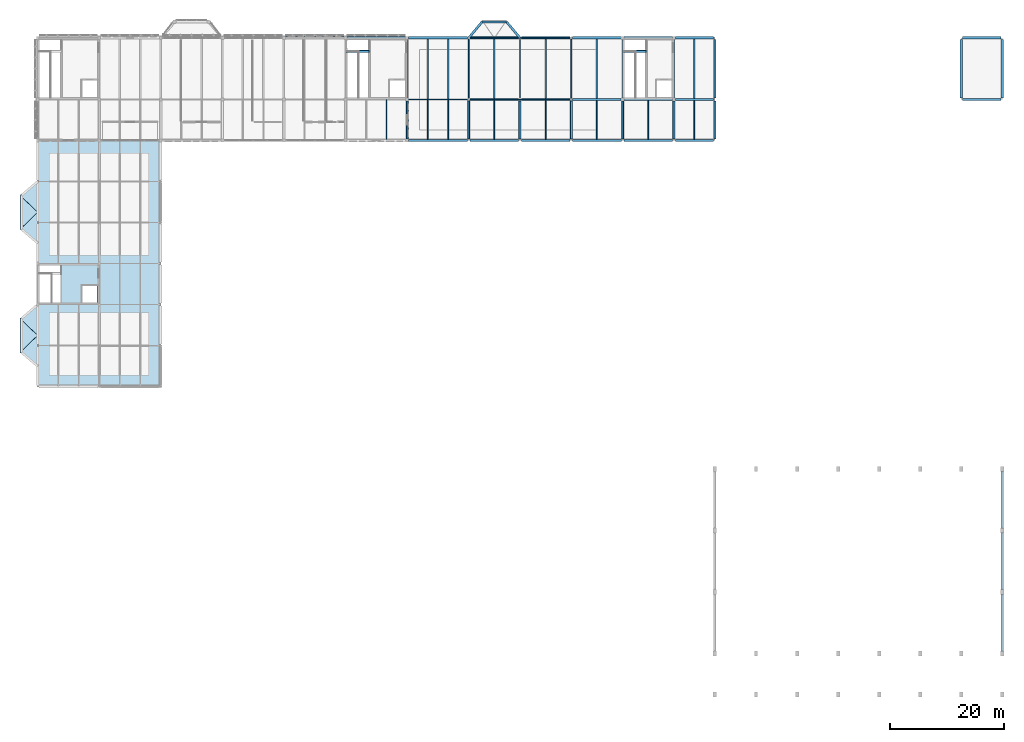
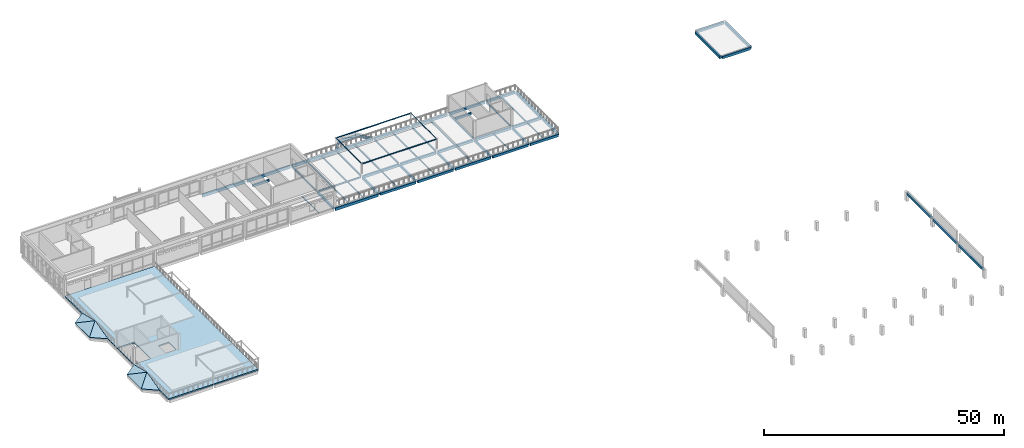
# One storey, part 18 of 33: 60 beams, 7 slabs, 4 members.
"""IFC4 building model written with IfcOpenShell, lengths in metres."""

from ifc_helpers import new_model, si_unit, direction, frame, origin, origin_2d, place, context, subcontext, project, spatial, polyline, rectangle, hollow_rectangle, hollow_circle, i_section, outline, extrude, material, layer, layer_set, material_profile, profile_set, type_object, element, save


model = new_model("IFC4")

# Units and contexts
model_context = context("Model", 3, precision=1e-05, world=origin(), true_north=direction((0.0, 1.0)))
body_context = subcontext(model_context, "Body", "Model", "MODEL_VIEW")
ifc_project = project(units=[si_unit("LENGTHUNIT", "METRE"), si_unit("AREAUNIT", "SQUARE_METRE"), si_unit("VOLUMEUNIT", "CUBIC_METRE"), si_unit("PLANEANGLEUNIT", "RADIAN"), si_unit("MASSUNIT", "GRAM", prefix="KILO")], contexts=[model_context])

# Site, building, storey
site_placement = place(None, origin())
site = spatial("IfcSite", under=ifc_project, at=site_placement, CompositionType="ELEMENT")
building_placement = place(site_placement, origin())
building = spatial("IfcBuilding", under=site, at=building_placement, Name="Lusvemor Sports Hall", CompositionType="ELEMENT")
storey_placement = place(building_placement, frame((0.0, 0.0, 19.199951171875)))
storey = spatial("IfcBuildingStorey", under=building, at=storey_placement, Name="L04", CompositionType="ELEMENT", Elevation=19.199951171875)

# Beams
ifc_material_1 = material(Name="Concrete C40/50", Category="concrete")
ifc_material_profile_1 = material_profile(ifc_material_1, rectangle(XDim=0.35009765625, YDim=0.550048828125, at=origin_2d()), Name="RC350x550")
ifc_profile_set_1 = profile_set([ifc_material_profile_1], Name="Concrete C40/50")
beam_type_1 = type_object("IfcBeamType", Name="BEAM_RC_550", PredefinedType="BEAM", material=ifc_profile_set_1)
for number, where, z_axis, x_axis, name in (
    (1, (64.800048828125, 97.466064453125, -0.58984375), (0.0, 1.0, 0.0), (-1.0, 0.0, 0.0), "Beam L04 7:N-P"),
    (2, (75.60009765625, 97.466064453125, -0.58984375), (0.0, 1.0, 0.0), (-1.0, 0.0, 0.0), "Beam L04 8:N-P"),
    (3, (84.60009765625, 97.466064453125, -0.58984375), (0.0, 1.0, 0.0), (-1.0, 0.0, 0.0), "Beam L04 9:N-P"),
    (4, (93.60009765625, 97.466064453125, -0.58984375), (0.0, 1.0, 0.0), (-1.0, 0.0, 0.0), "Beam L04 10:N-P"),
    (5, (102.60009765625, 97.466064453125, -0.58984375), (0.0, 1.0, 0.0), (-1.0, 0.0, 0.0), "Beam L04 11:N-P"),
    (6, (111.60009765625, 97.466064453125, -0.58984375), (0.0, 1.0, 0.0), (-1.0, 0.0, 0.0), "Beam L04 12:N-P"),
):
    element("IfcBeam", number, at=place(storey_placement, frame(where, z_axis=z_axis, x_axis=x_axis)), inside=storey, type_object=beam_type_1, Name=name, PredefinedType="BEAM", context=body_context, shape_type="SweptSolid", body=[
        extrude(rectangle(XDim=0.35009765625, YDim=0.550048828125, at=origin_2d()), origin(), (0.0, 0.0, 1.0), 6.68798828125),
    ])
for number, where, z_axis, x_axis, name in (
    (7, (54.159912109375, 112.85009765625, -0.454833984375), (1.0, 0.0, 0.0), (0.0, 1.0, 0.0), "Stair STR-C2-L03 Top-Landing Beam"),
    (8, (102.760009765625, 112.85009765625, -0.454833984375), (1.0, 0.0, 0.0), (0.0, 1.0, 0.0), "Stair STR-C4-L03 Top-Landing Beam"),
):
    element("IfcBeam", number, at=place(storey_placement, frame(where, z_axis=z_axis, x_axis=x_axis)), inside=storey, type_object=beam_type_1, Name=name, PredefinedType="BEAM", context=body_context, shape_type="SweptSolid", body=[
        extrude(rectangle(XDim=0.35009765625, YDim=0.550048828125, at=origin_2d()), origin(), (0.0, 0.0, 1.0), 3.97998046875),
    ])
ifc_material_2 = material(Name="Concrete C40/50", Category="concrete")
ifc_material_profile_2 = material_profile(ifc_material_2, rectangle(XDim=0.39990234375, YDim=0.64990234375, at=origin_2d()), Name="RC400x650")
ifc_profile_set_2 = profile_set([ifc_material_profile_2], Name="Concrete C40/50")
beam_type_2 = type_object("IfcBeamType", Name="BEAM_RC_650", PredefinedType="BEAM", material=ifc_profile_set_2)
for number, where, z_axis, x_axis, name in (
    (9, (75.845947265625, 104.39990234375, -0.639892578125), (1.0, 0.0, 0.0), (0.0, 1.0, 0.0), "Beam L04 P:8-9"),
    (10, (84.845947265625, 104.39990234375, -0.639892578125), (1.0, 0.0, 0.0), (0.0, 1.0, 0.0), "Beam L04 P:9-10"),
    (11, (93.845947265625, 104.39990234375, -0.639892578125), (1.0, 0.0, 0.0), (0.0, 1.0, 0.0), "Beam L04 P:10-11"),
    (12, (102.845947265625, 104.39990234375, -0.639892578125), (1.0, 0.0, 0.0), (0.0, 1.0, 0.0), "Beam L04 P:11-12"),
):
    element("IfcBeam", number, at=place(storey_placement, frame(where, z_axis=z_axis, x_axis=x_axis)), inside=storey, type_object=beam_type_2, Name=name, PredefinedType="BEAM", context=body_context, shape_type="SweptSolid", body=[
        extrude(rectangle(XDim=0.39990234375, YDim=0.64990234375, at=origin_2d()), origin(), (0.0, 0.0, 1.0), 8.508056640625),
    ])
beam_1_placement = place(storey_placement, frame((111.845947265625, 104.39990234375, -0.639892578125), z_axis=(1.0, 0.0, 0.0), x_axis=(0.0, 1.0, 0.0)))
element("IfcBeam", 13, at=beam_1_placement, inside=storey, type_object=beam_type_2, Name="Beam L04 P:12-13", PredefinedType="BEAM", context=body_context, shape_type="SweptSolid", body=[
    extrude(rectangle(XDim=0.39990234375, YDim=0.64990234375, at=origin_2d()), origin(), (0.0, 0.0, 1.0), 6.7080078125),
])
ifc_material_3 = material(Name="Steel S355", Category="steel")
ifc_material_profile_3 = material_profile(ifc_material_3, i_section(OverallWidth=0.256103515625, OverallDepth=0.360107421875, WebThickness=0.011474609375, FlangeThickness=0.02001953125, FilletRadius=0.014892578125, at=origin_2d()), Name="W360x110.0")
ifc_profile_set_3 = profile_set([ifc_material_profile_3], Name="Steel S355")
beam_type_3 = type_object("IfcBeamType", Name="BEAM_ST_360H", PredefinedType="BEAM", material=ifc_profile_set_3)
for number, where, z_axis, x_axis, name in (
    (14, (64.800048828125, 104.64599609375, -0.4990234375), (0.0, 1.0, 0.0), (-1.0, 0.0, 0.0), "Beam L04 7:P-Q"),
    (15, (75.60009765625, 104.64599609375, -0.4990234375), (0.0, 1.0, 0.0), (-1.0, 0.0, 0.0), "Beam L04 8:P-Q"),
    (16, (84.60009765625, 104.64599609375, -0.4990234375), (0.0, 1.0, 0.0), (-1.0, 0.0, 0.0), "Beam L04 9:P-Q"),
    (17, (93.60009765625, 104.64599609375, -0.4990234375), (0.0, 1.0, 0.0), (-1.0, 0.0, 0.0), "Beam L04 10:P-Q"),
    (18, (102.60009765625, 104.64599609375, -0.4990234375), (0.0, 1.0, 0.0), (-1.0, 0.0, 0.0), "Beam L04 11:P-Q"),
    (19, (111.60009765625, 104.64599609375, -0.4990234375), (0.0, 1.0, 0.0), (-1.0, 0.0, 0.0), "Beam L04 12:P-Q"),
):
    element("IfcBeam", number, at=place(storey_placement, frame(where, z_axis=z_axis, x_axis=x_axis)), inside=storey, type_object=beam_type_3, Name=name, PredefinedType="BEAM", context=body_context, shape_type="SweptSolid", body=[
        extrude(i_section(OverallWidth=0.256103515625, OverallDepth=0.360107421875, WebThickness=0.011474609375, FlangeThickness=0.02001953125, FilletRadius=0.014892578125, at=origin_2d()), origin(), (0.0, 0.0, 1.0), 10.2880859375),
    ])
ifc_material_4 = material(Name="Steel S355", Category="steel")
ifc_material_profile_4 = material_profile(ifc_material_4, i_section(OverallWidth=0.180908203125, OverallDepth=0.4169921875, WebThickness=0.010986328125, FlangeThickness=0.018310546875, FilletRadius=0.01611328125, at=origin_2d()), Name="W410x85.0")
ifc_profile_set_4 = profile_set([ifc_material_profile_4], Name="Steel S355")
beam_type_4 = type_object("IfcBeamType", Name="BEAM_ST_410H", PredefinedType="BEAM", material=ifc_profile_set_4)
beam_2_placement = place(storey_placement, frame((65.0458984375, 104.39990234375, -0.52734375), z_axis=(1.0, 0.0, 0.0), x_axis=(0.0, 1.0, 0.0)))
element("IfcBeam", 20, at=beam_2_placement, inside=storey, type_object=beam_type_4, Name="Beam L04 P:7-8", PredefinedType="BEAM", context=body_context, shape_type="SweptSolid", body=[
    extrude(i_section(OverallWidth=0.180908203125, OverallDepth=0.4169921875, WebThickness=0.010986328125, FlangeThickness=0.018310546875, FilletRadius=0.01611328125, at=origin_2d()), origin(), (0.0, 0.0, 1.0), 10.30810546875),
])

# Members
ifc_material_5 = material(Name="Steel S355", Category="steel")
ifc_material_profile_5 = material_profile(ifc_material_5, hollow_circle(Radius=0.05712890625, WallThickness=0.00634765625, at=origin_2d()), Name="CHS114.3x6.3")
ifc_profile_set_5 = profile_set([ifc_material_profile_5], Name="Steel S355")
member_type_1 = type_object("IfcMemberType", Name="BRACE_CANOPY_114", PredefinedType="BRACE", material=ifc_profile_set_5)
for number, where, z_axis, x_axis, name in (
    (21, (75.60009765625, 104.39990234375, 2.760009765625), (0.0, 1.0, 0.0), (-1.0, 0.0, 0.0), "Pergola Longitudinal Runner PERG-L04-B-A"),
    (22, (93.60009765625, 104.39990234375, 2.760009765625), (0.0, 1.0, 0.0), (-1.0, 0.0, 0.0), "Pergola Longitudinal Runner PERG-L04-B-B"),
):
    element("IfcMember", number, at=place(storey_placement, frame(where, z_axis=z_axis, x_axis=x_axis)), inside=storey, type_object=member_type_1, Name=name, PredefinedType="BRACE", context=body_context, shape_type="SweptSolid", body=[
        extrude(hollow_circle(Radius=0.05712890625, WallThickness=0.00634765625, at=origin_2d()), origin(), (0.0, 0.0, 1.0), 10.800048828125),
    ])

# Beams
ifc_material_6 = material(Name="Steel S355", Category="steel")
ifc_material_profile_6 = material_profile(ifc_material_6, i_section(OverallWidth=0.14794921875, OverallDepth=0.26611328125, WebThickness=0.007568359375, FlangeThickness=0.012939453125, FilletRadius=0.012939453125, at=origin_2d()), Name="W250x44.8")
ifc_profile_set_6 = profile_set([ifc_material_profile_6], Name="Steel S355")
beam_type_5 = type_object("IfcBeamType", Name="JOIST_ST_250M", PredefinedType="JOIST", material=ifc_profile_set_6)
for number, where, z_axis, x_axis, name in (
    (23, (61.199951171875, 97.39599609375, -0.427001953125), (0.0, 1.0, 0.0), (-1.0, 0.0, 0.0), "Secondary Joist L04 6-7/N-P #2"),
    (24, (72.0, 97.39599609375, -0.451904296875), (0.0, 1.0, 0.0), (-1.0, 0.0, 0.0), "Secondary Joist L04 7-8/N-P #2"),
):
    element("IfcBeam", number, at=place(storey_placement, frame(where, z_axis=z_axis, x_axis=x_axis)), inside=storey, type_object=beam_type_5, Name=name, PredefinedType="JOIST", context=body_context, shape_type="SweptSolid", body=[
        extrude(i_section(OverallWidth=0.14794921875, OverallDepth=0.26611328125, WebThickness=0.007568359375, FlangeThickness=0.012939453125, FilletRadius=0.012939453125, at=origin_2d()), origin(), (0.0, 0.0, 1.0), 6.91748046875),
    ])
ifc_material_7 = material(Name="Steel S355", Category="steel")
ifc_material_profile_7 = material_profile(ifc_material_7, i_section(OverallWidth=0.25390625, OverallDepth=0.305908203125, WebThickness=0.0087890625, FlangeThickness=0.0146484375, FilletRadius=0.014892578125, at=origin_2d()), Name="W310x79.0")
ifc_profile_set_7 = profile_set([ifc_material_profile_7], Name="Steel S355")
beam_type_6 = type_object("IfcBeamType", Name="JOIST_ST_310H", PredefinedType="JOIST", material=ifc_profile_set_7)
for number, where, z_axis, x_axis, name in (
    (25, (68.39990234375, 104.486572265625, -0.471923828125), (0.0, 1.0, 0.0), (-1.0, 0.0, 0.0), "Secondary Joist L04 7-8/P-Q #1"),
    (26, (72.0, 104.486572265625, -0.471923828125), (0.0, 1.0, 0.0), (-1.0, 0.0, 0.0), "Secondary Joist L04 7-8/P-Q #2"),
):
    element("IfcBeam", number, at=place(storey_placement, frame(where, z_axis=z_axis, x_axis=x_axis)), inside=storey, type_object=beam_type_6, Name=name, PredefinedType="JOIST", context=body_context, shape_type="SweptSolid", body=[
        extrude(i_section(OverallWidth=0.25390625, OverallDepth=0.305908203125, WebThickness=0.0087890625, FlangeThickness=0.0146484375, FilletRadius=0.014892578125, at=origin_2d()), origin(), (0.0, 0.0, 1.0), 10.517333984375),
    ])
for number, where, z_axis, x_axis, name in (
    (27, (80.10009765625, 104.595947265625, -0.471923828125), (0.0, 1.0, 0.0), (-1.0, 0.0, 0.0), "Secondary Joist L04 8-9/P-Q #1"),
    (28, (89.10009765625, 104.595947265625, -0.471923828125), (0.0, 1.0, 0.0), (-1.0, 0.0, 0.0), "Secondary Joist L04 9-10/P-Q #1"),
    (29, (98.10009765625, 104.595947265625, -0.471923828125), (0.0, 1.0, 0.0), (-1.0, 0.0, 0.0), "Secondary Joist L04 10-11/P-Q #1"),
    (30, (115.199951171875, 104.595947265625, -0.471923828125), (0.0, 1.0, 0.0), (-1.0, 0.0, 0.0), "Secondary Joist L04 12-13/P-Q #1"),
):
    element("IfcBeam", number, at=place(storey_placement, frame(where, z_axis=z_axis, x_axis=x_axis)), inside=storey, type_object=beam_type_6, Name=name, PredefinedType="JOIST", context=body_context, shape_type="SweptSolid", body=[
        extrude(i_section(OverallWidth=0.25390625, OverallDepth=0.305908203125, WebThickness=0.0087890625, FlangeThickness=0.0146484375, FilletRadius=0.014892578125, at=origin_2d()), origin(), (0.0, 0.0, 1.0), 10.407958984375),
    ])
ifc_material_8 = material(Name="Steel S355", Category="steel")
ifc_material_profile_8 = material_profile(ifc_material_8, i_section(OverallWidth=0.1669921875, OverallDepth=0.31689453125, WebThickness=0.007568359375, FlangeThickness=0.01318359375, FilletRadius=0.014892578125, at=origin_2d()), Name="W310x52.0")
ifc_profile_set_8 = profile_set([ifc_material_profile_8], Name="Steel S355")
beam_type_7 = type_object("IfcBeamType", Name="JOIST_ST_310M", PredefinedType="JOIST", material=ifc_profile_set_8)
beam_3_placement = place(storey_placement, frame((68.39990234375, 97.39599609375, -0.4775390625), z_axis=(0.0, 1.0, 0.0), x_axis=(-1.0, 0.0, 0.0)))
element("IfcBeam", 31, at=beam_3_placement, inside=storey, type_object=beam_type_7, Name="Secondary Joist L04 7-8/N-P #1", PredefinedType="JOIST", context=body_context, shape_type="SweptSolid", body=[
    extrude(i_section(OverallWidth=0.1669921875, OverallDepth=0.31689453125, WebThickness=0.007568359375, FlangeThickness=0.01318359375, FilletRadius=0.014892578125, at=origin_2d()), origin(), (0.0, 0.0, 1.0), 6.91748046875),
])
for number, where, z_axis, x_axis, name in (
    (32, (80.10009765625, 97.39599609375, -0.4775390625), (0.0, 1.0, 0.0), (-1.0, 0.0, 0.0), "Secondary Joist L04 8-9/N-P #1"),
    (33, (89.10009765625, 97.39599609375, -0.4775390625), (0.0, 1.0, 0.0), (-1.0, 0.0, 0.0), "Secondary Joist L04 9-10/N-P #1"),
    (34, (98.10009765625, 97.39599609375, -0.4775390625), (0.0, 1.0, 0.0), (-1.0, 0.0, 0.0), "Secondary Joist L04 10-11/N-P #1"),
    (35, (107.10009765625, 97.39599609375, -0.4775390625), (0.0, 1.0, 0.0), (-1.0, 0.0, 0.0), "Secondary Joist L04 11-12/N-P #1"),
    (36, (115.199951171875, 97.39599609375, -0.4775390625), (0.0, 1.0, 0.0), (-1.0, 0.0, 0.0), "Secondary Joist L04 12-13/N-P #1"),
):
    element("IfcBeam", number, at=place(storey_placement, frame(where, z_axis=z_axis, x_axis=x_axis)), inside=storey, type_object=beam_type_7, Name=name, PredefinedType="JOIST", context=body_context, shape_type="SweptSolid", body=[
        extrude(i_section(OverallWidth=0.1669921875, OverallDepth=0.31689453125, WebThickness=0.007568359375, FlangeThickness=0.01318359375, FilletRadius=0.014892578125, at=origin_2d()), origin(), (0.0, 0.0, 1.0), 6.80810546875),
    ])
ifc_material_9 = material(Name="Concrete C40/50", Category="concrete")
ifc_material_profile_9 = material_profile(ifc_material_9, rectangle(XDim=0.39990234375, YDim=0.610107421875, at=origin_2d()), Name="RC400x610")
ifc_profile_set_9 = profile_set([ifc_material_profile_9], Name="Concrete C40/50")
beam_type_8 = type_object("IfcBeamType", Name="SPAND_EXT_650", PredefinedType="SPANDREL", material=ifc_profile_set_9)
for number, where, z_axis, x_axis, name in (
    (37, (75.8359375, 97.199951171875, -0.619873046875), (1.0, 0.0, 0.0), (0.0, 1.0, 0.0), "Beam L04 N:8-9"),
    (38, (84.8359375, 97.199951171875, -0.619873046875), (1.0, 0.0, 0.0), (0.0, 1.0, 0.0), "Beam L04 N:9-10"),
    (39, (93.8359375, 97.199951171875, -0.619873046875), (1.0, 0.0, 0.0), (0.0, 1.0, 0.0), "Beam L04 N:10-11"),
    (40, (102.8359375, 97.199951171875, -0.619873046875), (1.0, 0.0, 0.0), (0.0, 1.0, 0.0), "Beam L04 N:11-12"),
):
    element("IfcBeam", number, at=place(storey_placement, frame(where, z_axis=z_axis, x_axis=x_axis)), inside=storey, type_object=beam_type_8, Name=name, PredefinedType="SPANDREL", context=body_context, shape_type="SweptSolid", body=[
        extrude(rectangle(XDim=0.39990234375, YDim=0.610107421875, at=origin_2d()), origin(), (0.0, 0.0, 1.0), 8.528076171875),
    ])
beam_4_placement = place(storey_placement, frame((111.8359375, 97.199951171875, -0.619873046875), z_axis=(1.0, 0.0, 0.0), x_axis=(0.0, 1.0, 0.0)))
element("IfcBeam", 41, at=beam_4_placement, inside=storey, type_object=beam_type_8, Name="Beam L04 N:12-13", PredefinedType="SPANDREL", context=body_context, shape_type="SweptSolid", body=[
    extrude(rectangle(XDim=0.39990234375, YDim=0.610107421875, at=origin_2d()), origin(), (0.0, 0.0, 1.0), 6.72802734375),
])
beam_5_placement = place(storey_placement, frame((162.24609375, 104.39990234375, -0.534912109375), z_axis=(1.0, 0.0, 0.0), x_axis=(0.0, 1.0, 0.0)))
element("IfcBeam", 42, at=beam_5_placement, inside=storey, type_object=beam_type_8, Name="Beam L04 P:19-20", PredefinedType="SPANDREL", context=body_context, shape_type="SweptSolid", body=[
    extrude(rectangle(XDim=0.39990234375, YDim=0.610107421875, at=origin_2d()), origin(), (0.0, 0.0, 1.0), 6.718017578125),
])
for number, where, z_axis, x_axis, name in (
    (43, (75.8359375, 115.199951171875, -0.619873046875), (1.0, 0.0, 0.0), (0.0, 1.0, 0.0), "Beam L04 Q:8-9"),
    (44, (84.8359375, 115.199951171875, -0.619873046875), (1.0, 0.0, 0.0), (0.0, 1.0, 0.0), "Beam L04 Q:9-10"),
    (45, (93.8359375, 115.199951171875, -0.619873046875), (1.0, 0.0, 0.0), (0.0, 1.0, 0.0), "Beam L04 Q:10-11"),
    (46, (102.8359375, 115.199951171875, -0.619873046875), (1.0, 0.0, 0.0), (0.0, 1.0, 0.0), "Beam L04 Q:11-12"),
):
    element("IfcBeam", number, at=place(storey_placement, frame(where, z_axis=z_axis, x_axis=x_axis)), inside=storey, type_object=beam_type_8, Name=name, PredefinedType="SPANDREL", context=body_context, shape_type="SweptSolid", body=[
        extrude(rectangle(XDim=0.39990234375, YDim=0.610107421875, at=origin_2d()), origin(), (0.0, 0.0, 1.0), 8.528076171875),
    ])
for number, where, z_axis, x_axis, name in (
    (47, (111.8359375, 115.199951171875, -0.619873046875), (1.0, 0.0, 0.0), (0.0, 1.0, 0.0), "Beam L04 Q:12-13"),
    (48, (162.236083984375, 115.199951171875, -0.534912109375), (1.0, 0.0, 0.0), (0.0, 1.0, 0.0), "Beam L04 Q:19-20"),
):
    element("IfcBeam", number, at=place(storey_placement, frame(where, z_axis=z_axis, x_axis=x_axis)), inside=storey, type_object=beam_type_8, Name=name, PredefinedType="SPANDREL", context=body_context, shape_type="SweptSolid", body=[
        extrude(rectangle(XDim=0.39990234375, YDim=0.610107421875, at=origin_2d()), origin(), (0.0, 0.0, 1.0), 6.72802734375),
    ])
beam_6_placement = place(storey_placement, frame((118.800048828125, 97.466064453125, -0.619873046875), z_axis=(0.0, 1.0, 0.0), x_axis=(-1.0, 0.0, 0.0)))
element("IfcBeam", 49, at=beam_6_placement, inside=storey, type_object=beam_type_8, Name="Beam L04 13:N-P", PredefinedType="SPANDREL", context=body_context, shape_type="SweptSolid", body=[
    extrude(rectangle(XDim=0.39990234375, YDim=0.610107421875, at=origin_2d()), origin(), (0.0, 0.0, 1.0), 6.68798828125),
])
for number, where, z_axis, x_axis, name in (
    (50, (169.199951171875, 7.550048828125, 1.905029296875), (0.0, 1.0, 0.0), (-1.0, 0.0, 0.0), "East Vault Tympanum Tie Girt E-1"),
    (51, (169.199951171875, 18.35009765625, 1.905029296875), (0.0, 1.0, 0.0), (-1.0, 0.0, 0.0), "East Vault Tympanum Tie Girt E-2"),
):
    element("IfcBeam", number, at=place(storey_placement, frame(where, z_axis=z_axis, x_axis=x_axis)), inside=storey, type_object=beam_type_8, Name=name, PredefinedType="SPANDREL", context=body_context, shape_type="SweptSolid", body=[
        extrude(rectangle(XDim=0.39990234375, YDim=0.610107421875, at=origin_2d()), origin(), (0.0, 0.0, 1.0), 10.099853515625),
    ])
beam_7_placement = place(storey_placement, frame((169.199951171875, 29.14990234375, 1.905029296875), z_axis=(0.0, 1.0, 0.0), x_axis=(-1.0, 0.0, 0.0)))
element("IfcBeam", 52, at=beam_7_placement, inside=storey, type_object=beam_type_8, Name="East Vault Tympanum Tie Girt E-3", PredefinedType="SPANDREL", context=body_context, shape_type="SweptSolid", body=[
    extrude(rectangle(XDim=0.39990234375, YDim=0.610107421875, at=origin_2d()), origin(), (0.0, 0.0, 1.0), 10.10009765625),
])
beam_8_placement = place(storey_placement, frame((75.60009765625, 115.199951171875, -0.56494140625), z_axis=(0.6412301768, 0.767348591164, 0.0), x_axis=(-0.767348591164, 0.6412301768, 0.0)))
element("IfcBeam", 53, at=beam_8_placement, inside=storey, type_object=beam_type_8, Name="Bow Pavilion Edge Beam BOW-N2 L04-1", PredefinedType="SPANDREL", context=body_context, shape_type="SweptSolid", body=[
    extrude(rectangle(XDim=0.39990234375, YDim=0.610107421875, at=origin_2d()), origin(), (0.0, 0.0, 1.0), 3.64892578125),
])
beam_9_placement = place(storey_placement, frame((77.93994140625, 118.0, -0.56494140625), z_axis=(1.0, 0.0, 0.0), x_axis=(0.0, 1.0, 0.0)))
element("IfcBeam", 54, at=beam_9_placement, inside=storey, type_object=beam_type_8, Name="Bow Pavilion Edge Beam BOW-N2 L04-2", PredefinedType="SPANDREL", context=body_context, shape_type="SweptSolid", body=[
    extrude(rectangle(XDim=0.39990234375, YDim=0.610107421875, at=origin_2d()), origin(), (0.0, 0.0, 1.0), 4.320068359375),
])
beam_10_placement = place(storey_placement, frame((82.260009765625, 118.0, -0.56494140625), z_axis=(0.641269570303, -0.767315670506, 0.0), x_axis=(0.767315670506, 0.641269570303, 0.0)))
element("IfcBeam", 55, at=beam_10_placement, inside=storey, type_object=beam_type_8, Name="Bow Pavilion Edge Beam BOW-N2 L04-3", PredefinedType="SPANDREL", context=body_context, shape_type="SweptSolid", body=[
    extrude(rectangle(XDim=0.39990234375, YDim=0.610107421875, at=origin_2d()), origin(), (0.0, 0.0, 1.0), 3.649169921875),
])
ifc_material_10 = material(Name="Concrete C40/50", Category="concrete")
ifc_material_profile_10 = material_profile(ifc_material_10, rectangle(XDim=0.39990234375, YDim=0.699951171875, at=origin_2d()), Name="RC400x700")
ifc_profile_set_10 = profile_set([ifc_material_profile_10], Name="Concrete C40/50")
beam_type_9 = type_object("IfcBeamType", Name="SPAND_EXT_700", PredefinedType="SPANDREL", material=ifc_profile_set_10)
beam_11_placement = place(storey_placement, frame((65.035888671875, 97.199951171875, -0.6650390625), z_axis=(1.0, 0.0, 0.0), x_axis=(0.0, 1.0, 0.0)))
element("IfcBeam", 56, at=beam_11_placement, inside=storey, type_object=beam_type_9, Name="Beam L04 N:7-8", PredefinedType="SPANDREL", context=body_context, shape_type="SweptSolid", body=[
    extrude(rectangle(XDim=0.39990234375, YDim=0.699951171875, at=origin_2d()), origin(), (0.0, 0.0, 1.0), 10.328125),
])
for number, where, z_axis, x_axis, name in (
    (57, (43.43603515625, 115.199951171875, -0.639892578125), (1.0, 0.0, 0.0), (0.0, 1.0, 0.0), "Beam L04 Q:5-6"),
    (58, (54.236083984375, 115.199951171875, -0.639892578125), (1.0, 0.0, 0.0), (0.0, 1.0, 0.0), "Beam L04 Q:6-7"),
):
    element("IfcBeam", number, at=place(storey_placement, frame(where, z_axis=z_axis, x_axis=x_axis)), inside=storey, type_object=beam_type_9, Name=name, PredefinedType="SPANDREL", context=body_context, shape_type="SweptSolid", body=[
        extrude(rectangle(XDim=0.39990234375, YDim=0.699951171875, at=origin_2d()), origin(), (0.0, 0.0, 1.0), 10.327880859375),
    ])
beam_12_placement = place(storey_placement, frame((65.035888671875, 115.199951171875, -0.6650390625), z_axis=(1.0, 0.0, 0.0), x_axis=(0.0, 1.0, 0.0)))
element("IfcBeam", 59, at=beam_12_placement, inside=storey, type_object=beam_type_9, Name="Beam L04 Q:7-8", PredefinedType="SPANDREL", context=body_context, shape_type="SweptSolid", body=[
    extrude(rectangle(XDim=0.39990234375, YDim=0.699951171875, at=origin_2d()), origin(), (0.0, 0.0, 1.0), 10.328125),
])
for number, where, z_axis, x_axis, name in (
    (60, (118.800048828125, 104.64599609375, -0.6650390625), (0.0, 1.0, 0.0), (-1.0, 0.0, 0.0), "Beam L04 13:P-Q"),
    (61, (162.0, 104.64599609375, -0.579833984375), (0.0, 1.0, 0.0), (-1.0, 0.0, 0.0), "Beam L04 19:P-Q"),
):
    element("IfcBeam", number, at=place(storey_placement, frame(where, z_axis=z_axis, x_axis=x_axis)), inside=storey, type_object=beam_type_9, Name=name, PredefinedType="SPANDREL", context=body_context, shape_type="SweptSolid", body=[
        extrude(rectangle(XDim=0.39990234375, YDim=0.699951171875, at=origin_2d()), origin(), (0.0, 0.0, 1.0), 10.2880859375),
    ])
beam_13_placement = place(storey_placement, frame((169.199951171875, 104.666015625, -0.579833984375), z_axis=(0.0, 1.0, 0.0), x_axis=(-1.0, 0.0, 0.0)))
element("IfcBeam", 62, at=beam_13_placement, inside=storey, type_object=beam_type_9, Name="Beam L04 20:P-Q", PredefinedType="SPANDREL", context=body_context, shape_type="SweptSolid", body=[
    extrude(rectangle(XDim=0.39990234375, YDim=0.699951171875, at=origin_2d()), origin(), (0.0, 0.0, 1.0), 10.26806640625),
])

# Members
ifc_material_11 = material(Name="Steel S355", Category="steel")
ifc_material_profile_11 = material_profile(ifc_material_11, hollow_rectangle(XDim=0.10009765625, YDim=0.179931640625, WallThickness=0.008056640625, InnerFilletRadius=0.008056640625, OuterFilletRadius=0.01611328125, at=origin_2d()), Name="RHS180x100x8")
ifc_profile_set_11 = profile_set([ifc_material_profile_11], Name="Steel S355")
member_type_2 = type_object("IfcMemberType", Name="STRUT_CANOPY_180", PredefinedType="STRUT", material=ifc_profile_set_11)
for number, where, z_axis, x_axis, name in (
    (63, (75.60009765625, 104.39990234375, 2.760009765625), (1.0, 0.0, 0.0), (0.0, 1.0, 0.0), "Art Nouveau Pergola Trellis Beam PERG-L04-B-1"),
    (64, (75.60009765625, 115.199951171875, 2.760009765625), (1.0, 0.0, 0.0), (0.0, 1.0, 0.0), "Art Nouveau Pergola Trellis Beam PERG-L04-B-2"),
):
    element("IfcMember", number, at=place(storey_placement, frame(where, z_axis=z_axis, x_axis=x_axis)), inside=storey, type_object=member_type_2, Name=name, PredefinedType="STRUT", context=body_context, shape_type="SweptSolid", body=[
        extrude(hollow_rectangle(XDim=0.10009765625, YDim=0.179931640625, WallThickness=0.008056640625, InnerFilletRadius=0.008056640625, OuterFilletRadius=0.01611328125, at=origin_2d()), origin(), (0.0, 0.0, 1.0), 18.0),
    ])

# Slabs
ifc_material_12 = material(Name="Concrete C40/50", Category="concrete")
ifc_layer_1 = layer(ifc_material_12, 0.169921875)
ifc_layer_set_1 = layer_set([ifc_layer_1], Name="Concrete C40/50")
slab_type_1 = type_object("IfcSlabType", Name="ROOF_LANTERN_170", PredefinedType="ROOF", material=ifc_layer_set_1)
slab_1_placement = place(storey_placement, frame((0.0, 57.60009765625, 0.0), z_axis=(-0.184546720672, -0.238390056876, 0.953474010486), x_axis=(-0.790745099616, 0.612145560658, 0.0)))
element("IfcSlab", 65, at=slab_1_placement, inside=storey, type_object=slab_type_1, Name="Art Nouveau Faceted Pavilion Roof BOW-W1-1", PredefinedType="ROOF", context=body_context, shape_type="SweptSolid", body=[
    extrude(outline(polyline([(0.0, 0.0), (3.9204765957499976, 2.220446049250313e-16), (3.305526247710608, -4.478303833947036), (0.0, 0.0)])), origin(), (0.0, 0.0, -1.0), 0.169921875),
])
slab_2_placement = place(storey_placement, frame((-3.10009765625, 60.0, 0.0), z_axis=(-0.399280471996, 0.0, 0.916828830634), x_axis=(0.0, 1.0, 0.0)))
element("IfcSlab", 66, at=slab_2_placement, inside=storey, type_object=slab_type_1, Name="Art Nouveau Faceted Pavilion Roof BOW-W1-2", PredefinedType="ROOF", context=body_context, shape_type="SweptSolid", body=[
    extrude(outline(polyline([(0.0, 0.0), (6.0, 0.0), (3.0, -3.3813265384606805), (0.0, 0.0)])), origin(), (0.0, 0.0, -1.0), 0.169921875),
])
slab_3_placement = place(storey_placement, frame((-3.10009765625, 66.0, 0.0), z_axis=(-0.184546720672, 0.238390056876, 0.953474010486), x_axis=(0.790745099616, 0.612145560658, 0.0)))
element("IfcSlab", 67, at=slab_3_placement, inside=storey, type_object=slab_type_1, Name="Art Nouveau Faceted Pavilion Roof BOW-W1-3", PredefinedType="ROOF", context=body_context, shape_type="SweptSolid", body=[
    extrude(outline(polyline([(0.0, 0.0), (3.9204765957499976, -2.220446049250313e-16), (0.6149503480393896, -4.478303833947036), (0.0, 0.0)])), origin(), (0.0, 0.0, -1.0), 0.169921875),
])
slab_4_placement = place(storey_placement, frame((0.0, 79.199951171875, 0.0), z_axis=(-0.184557269224, -0.238379432876, 0.953474624916), x_axis=(-0.790714956395, 0.612184496482, 0.0)))
element("IfcSlab", 68, at=slab_4_placement, inside=storey, type_object=slab_type_1, Name="Art Nouveau Faceted Pavilion Roof BOW-W2-1", PredefinedType="ROOF", context=body_context, shape_type="SweptSolid", body=[
    extrude(outline(polyline([(0.0, 0.0), (3.920626050102766, 2.220446049250313e-16), (3.3058859564642593, -4.4783327005674565), (0.0, 0.0)])), origin(), (0.0, 0.0, -1.0), 0.169921875),
])
slab_5_placement = place(storey_placement, frame((-3.10009765625, 81.60009765625, 0.0), z_axis=(-0.399280471996, 0.0, 0.916828830634), x_axis=(0.0, 1.0, 0.0)))
element("IfcSlab", 69, at=slab_5_placement, inside=storey, type_object=slab_type_1, Name="Art Nouveau Faceted Pavilion Roof BOW-W2-2", PredefinedType="ROOF", context=body_context, shape_type="SweptSolid", body=[
    extrude(outline(polyline([(0.0, 0.0), (6.0, 0.0), (3.0, -3.3813265384606805), (0.0, 0.0)])), origin(), (0.0, 0.0, -1.0), 0.169921875),
])
slab_6_placement = place(storey_placement, frame((-3.10009765625, 87.60009765625, 0.0), z_axis=(-0.184546720672, 0.238390056876, 0.953474010486), x_axis=(0.790745099616, 0.612145560658, 0.0)))
element("IfcSlab", 70, at=slab_6_placement, inside=storey, type_object=slab_type_1, Name="Art Nouveau Faceted Pavilion Roof BOW-W2-3", PredefinedType="ROOF", context=body_context, shape_type="SweptSolid", body=[
    extrude(outline(polyline([(0.0, 0.0), (3.9204765957499976, -2.220446049250313e-16), (0.6149503480393896, -4.478303833947036), (0.0, 0.0)])), origin(), (0.0, 0.0, -1.0), 0.169921875),
])
ifc_material_13 = material(Name="Concrete C40/50", Category="concrete")
ifc_layer_2 = layer(ifc_material_13, 0.31494140625)
ifc_layer_set_2 = layer_set([ifc_layer_2], Name="Concrete C40/50")
slab_type_2 = type_object("IfcSlabType", Name="SLAB_EXT_GARD_315", PredefinedType="FLOOR", material=ifc_layer_set_2)
slab_7_placement = place(storey_placement, frame((0.0, 0.0, -0.31494140625)))
element("IfcSlab", 71, at=slab_7_placement, inside=storey, type_object=slab_type_2, Name="Slab L04 V5-WGARDEN", PredefinedType="FLOOR", context=body_context, shape_type="SweptSolid", body=[
    extrude(outline(polyline([(0.0, 54.0), (21.60009765625, 54.0), (21.60009765625, 97.199951171875), (0.0, 97.199951171875), (0.0, 54.0)]), holes=[polyline([(0.159912109375, 68.56005859375), (4.139892578125, 68.56005859375), (4.139892578125, 75.43994140625), (0.159912109375, 75.43994140625), (0.159912109375, 68.56005859375)]), polyline([(7.800048828125, 68.800048828125), (10.39990234375, 68.800048828125), (10.39990234375, 71.800048828125), (7.800048828125, 71.800048828125), (7.800048828125, 68.800048828125)])]), origin(), (0.0, 0.0, 1.0), 0.31494140625),
])

save(model, "model.ifc")
